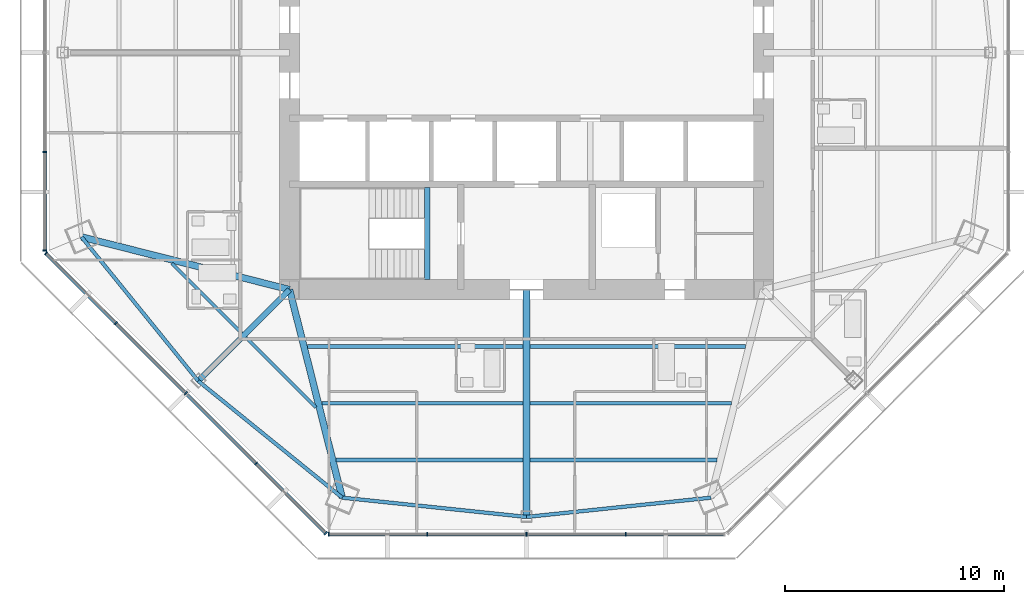
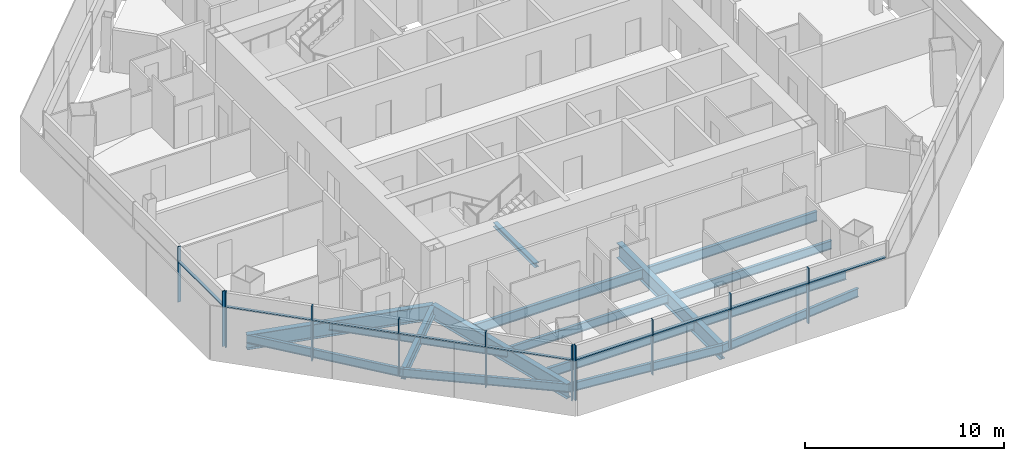
# One storey, part 2 of 15: 20 members, 17 beams, 3 elements without a shape of their own.
"""IFC4 building model written with IfcOpenShell, lengths in metres."""

from ifc_helpers import new_model, si_unit, direction, frame, origin, origin_2d, place, context, subcontext, project, spatial, rectangle, i_section, extrude, source, transform, mapped, material, material_profile, profile_set, type_object, type_shapes, element, aggregate, save


model = new_model("IFC4")

# Units and contexts
model_context = context("Model", 3, precision=1e-05, world=origin(), true_north=direction((0.0, 1.0)))
body_context = subcontext(model_context, "Body", "Model", "MODEL_VIEW")
ifc_project = project(units=[si_unit("LENGTHUNIT", "METRE"), si_unit("AREAUNIT", "SQUARE_METRE"), si_unit("VOLUMEUNIT", "CUBIC_METRE"), si_unit("PLANEANGLEUNIT", "RADIAN"), si_unit("MASSUNIT", "GRAM", prefix="KILO")], contexts=[model_context])

# Site, building, storey
site_placement = place(None, origin())
site = spatial("IfcSite", under=ifc_project, at=site_placement, CompositionType="ELEMENT")
building_placement = place(site_placement, origin())
building = spatial("IfcBuilding", under=site, at=building_placement, Name="Mashrafa Tower", CompositionType="ELEMENT")
storey_placement = place(building_placement, frame((0.0, 0.0, 214.199951171875)))
storey = spatial("IfcBuildingStorey", under=building, at=storey_placement, Name="L49", CompositionType="ELEMENT", Elevation=214.199951171875)

# Beams
ifc_material_1 = material(Name="Steel ASTM A992", Category="steel")
ifc_material_profile_1 = material_profile(ifc_material_1, i_section(OverallWidth=0.15234375, OverallDepth=0.449462890625, WebThickness=0.007568359375, FlangeThickness=0.0107421875, FilletRadius=0.01025390625, at=origin_2d()), Name="W18X35")
ifc_profile_set_1 = profile_set([ifc_material_profile_1], Name="Steel ASTM A992")
beam_type_1 = type_object("IfcBeamType", Name="Beam W18X35", PredefinedType="BEAM", material=ifc_profile_set_1)
for number, where, z_axis, x_axis, name in (
    (1, (-12.971435546875, -12.791748046875, -0.4248046875), (-0.707106781187, 0.707106781187, 0.0), (-0.707106781187, -0.707106781187, 0.0), "Floor beam L49 008"),
    (2, (-9.600830078125, -16.162353515625, -0.4248046875), (-0.707106781187, 0.707106781187, 0.0), (-0.707106781187, -0.707106781187, 0.0), "Floor beam L49 012"),
):
    element("IfcBeam", number, at=place(storey_placement, frame(where, z_axis=z_axis, x_axis=x_axis)), inside=storey, type_object=beam_type_1, Name=name, PredefinedType="BEAM", context=body_context, shape_type="SweptSolid", body=[
        extrude(i_section(OverallWidth=0.15234375, OverallDepth=0.449462890625, WebThickness=0.007568359375, FlangeThickness=0.0107421875, FilletRadius=0.01025390625, at=origin_2d()), origin(), (0.0, 0.0, 1.0), 4.5126953125),
    ])
ifc_material_2 = material(Name="Steel ASTM A992", Category="steel")
ifc_material_profile_2 = material_profile(ifc_material_2, i_section(OverallWidth=0.1650390625, OverallDepth=0.52587890625, WebThickness=0.0087890625, FlangeThickness=0.011474609375, FilletRadius=0.0126953125, at=origin_2d()), Name="W21X44")
ifc_profile_set_2 = profile_set([ifc_material_profile_2], Name="Steel ASTM A992")
beam_type_2 = type_object("IfcBeamType", Name="Beam W21X44", PredefinedType="BEAM", material=ifc_profile_set_2)
for number, where, z_axis, x_axis, name in (
    (3, (-0.15380859375, -15.98046875, -0.462890625), (-1.0, 0.0, 0.0), (0.0, -1.0, 0.0), "Floor beam L49 015"),
    (4, (9.33251953125, -15.98046875, -0.462890625), (-1.0, 0.0, 0.0), (0.0, -1.0, 0.0), "Floor beam L49 022"),
):
    element("IfcBeam", number, at=place(storey_placement, frame(where, z_axis=z_axis, x_axis=x_axis)), inside=storey, type_object=beam_type_2, Name=name, PredefinedType="BEAM", context=body_context, shape_type="SweptSolid", body=[
        extrude(i_section(OverallWidth=0.1650390625, OverallDepth=0.52587890625, WebThickness=0.0087890625, FlangeThickness=0.011474609375, FilletRadius=0.0126953125, at=origin_2d()), origin(), (0.0, 0.0, 1.0), 9.1787109375),
    ])
for number, where, z_axis, x_axis, name in (
    (5, (-20.28271484375, -8.4013671875, -0.462890625), (0.629746814929, -0.776800456415, 0.0), (0.776800456415, 0.629746814929, 0.0), "Spandrel beam L49 050"),
    (6, (-14.963134765625, -14.963134765625, -0.462890625), (0.776800456415, -0.629746814929, 0.0), (0.629746814929, 0.776800456415, 0.0), "Spandrel beam L49 052"),
):
    element("IfcBeam", number, at=place(storey_placement, frame(where, z_axis=z_axis, x_axis=x_axis)), inside=storey, type_object=beam_type_2, Name=name, PredefinedType="BEAM", context=body_context, shape_type="SweptSolid", body=[
        extrude(i_section(OverallWidth=0.1650390625, OverallDepth=0.52587890625, WebThickness=0.0087890625, FlangeThickness=0.011474609375, FilletRadius=0.0126953125, at=origin_2d()), origin(), (0.0, 0.0, 1.0), 8.447265625),
    ])
for number, where, z_axis, x_axis, name in (
    (7, (-8.4013671875, -20.28271484375, -0.462890625), (0.994581364657, -0.103961094056, 0.0), (0.103961094056, 0.994581364657, 0.0), "Spandrel beam L49 054"),
    (8, (0.0, -21.160888671875, -0.462890625), (0.994581364657, 0.103961094056, 0.0), (-0.103961094056, 0.994581364657, 0.0), "Spandrel beam L49 056"),
):
    element("IfcBeam", number, at=place(storey_placement, frame(where, z_axis=z_axis, x_axis=x_axis)), inside=storey, type_object=beam_type_2, Name=name, PredefinedType="BEAM", context=body_context, shape_type="SweptSolid", body=[
        extrude(i_section(OverallWidth=0.1650390625, OverallDepth=0.52587890625, WebThickness=0.0087890625, FlangeThickness=0.011474609375, FilletRadius=0.0126953125, at=origin_2d()), origin(), (0.0, 0.0, 1.0), 8.447021484375),
    ])
ifc_material_3 = material(Name="Steel ASTM A992", Category="steel")
ifc_material_profile_3 = material_profile(ifc_material_3, i_section(OverallWidth=0.177978515625, OverallDepth=0.599365234375, WebThickness=0.010009765625, FlangeThickness=0.012939453125, FilletRadius=0.012939453125, at=origin_2d()), Name="W24X55")
ifc_profile_set_3 = profile_set([ifc_material_profile_3], Name="Steel ASTM A992")
beam_type_3 = type_object("IfcBeamType", Name="Beam W24X55", PredefinedType="BEAM", material=ifc_profile_set_3)
beam_1_placement = place(storey_placement, frame((-0.15380859375, -18.57080078125, -0.499755859375), z_axis=(-1.0, 0.0, 0.0), x_axis=(0.0, -1.0, 0.0)))
element("IfcBeam", 9, at=beam_1_placement, inside=storey, type_object=beam_type_3, Name="Floor beam L49 014", PredefinedType="BEAM", context=body_context, shape_type="SweptSolid", body=[
    extrude(i_section(OverallWidth=0.177978515625, OverallDepth=0.599365234375, WebThickness=0.010009765625, FlangeThickness=0.012939453125, FilletRadius=0.012939453125, at=origin_2d()), origin(), (0.0, 0.0, 1.0), 8.5234375),
])
beam_2_placement = place(storey_placement, frame((-0.15380859375, -13.390380859375, -0.499755859375), z_axis=(-1.0, 0.0, 0.0), x_axis=(0.0, -1.0, 0.0)))
element("IfcBeam", 10, at=beam_2_placement, inside=storey, type_object=beam_type_3, Name="Floor beam L49 016", PredefinedType="BEAM", context=body_context, shape_type="SweptSolid", body=[
    extrude(i_section(OverallWidth=0.177978515625, OverallDepth=0.599365234375, WebThickness=0.010009765625, FlangeThickness=0.012939453125, FilletRadius=0.012939453125, at=origin_2d()), origin(), (0.0, 0.0, 1.0), 9.833740234375),
])
beam_3_placement = place(storey_placement, frame((8.67724609375, -18.57080078125, -0.499755859375), z_axis=(-1.0, 0.0, 0.0), x_axis=(0.0, -1.0, 0.0)))
element("IfcBeam", 11, at=beam_3_placement, inside=storey, type_object=beam_type_3, Name="Floor beam L49 020", PredefinedType="BEAM", context=body_context, shape_type="SweptSolid", body=[
    extrude(i_section(OverallWidth=0.177978515625, OverallDepth=0.599365234375, WebThickness=0.010009765625, FlangeThickness=0.012939453125, FilletRadius=0.012939453125, at=origin_2d()), origin(), (0.0, 0.0, 1.0), 8.5234375),
])
beam_4_placement = place(storey_placement, frame((9.987548828125, -13.390380859375, -0.499755859375), z_axis=(-1.0, 0.0, 0.0), x_axis=(0.0, -1.0, 0.0)))
element("IfcBeam", 12, at=beam_4_placement, inside=storey, type_object=beam_type_3, Name="Floor beam L49 023", PredefinedType="BEAM", context=body_context, shape_type="SweptSolid", body=[
    extrude(i_section(OverallWidth=0.177978515625, OverallDepth=0.599365234375, WebThickness=0.010009765625, FlangeThickness=0.012939453125, FilletRadius=0.012939453125, at=origin_2d()), origin(), (0.0, 0.0, 1.0), 9.833740234375),
])
ifc_material_4 = material(Name="Steel ASTM A992", Category="steel")
ifc_material_profile_4 = material_profile(ifc_material_4, i_section(OverallWidth=0.25390625, OverallDepth=0.67822265625, WebThickness=0.01171875, FlangeThickness=0.016357421875, FilletRadius=0.01513671875, at=origin_2d()), Name="W27X84")
ifc_profile_set_4 = profile_set([ifc_material_profile_4], Name="Steel ASTM A992")
beam_type_4 = type_object("IfcBeamType", Name="Beam W27X84", PredefinedType="BEAM", material=ifc_profile_set_4)
beam_5_placement = place(storey_placement, frame((-10.800048828125, -10.800048828125, -0.5390625), z_axis=(-0.707106781187, -0.707106781187, 0.0), x_axis=(0.707106781187, -0.707106781187, 0.0)))
element("IfcBeam", 13, at=beam_5_placement, inside=storey, type_object=beam_type_4, Name="Radial girder L49 034", PredefinedType="BEAM", context=body_context, shape_type="SweptSolid", body=[
    extrude(i_section(OverallWidth=0.25390625, OverallDepth=0.67822265625, WebThickness=0.01171875, FlangeThickness=0.016357421875, FilletRadius=0.01513671875, at=origin_2d()), origin(), (0.0, 0.0, 1.0), 5.887451171875),
])
ifc_material_5 = material(Name="Steel ASTM A992", Category="steel")
ifc_material_profile_5 = material_profile(ifc_material_5, i_section(OverallWidth=0.3046875, OverallDepth=0.911865234375, WebThickness=0.015869140625, FlangeThickness=0.02392578125, FilletRadius=0.01904296875, at=origin_2d()), Name="W36X150")
ifc_profile_set_5 = profile_set([ifc_material_profile_5], Name="Steel ASTM A992")
beam_type_5 = type_object("IfcBeamType", Name="Beam W36X150", PredefinedType="BEAM", material=ifc_profile_set_5)
for number, where, z_axis, x_axis, name in (
    (14, (-10.800048828125, -10.800048828125, -0.65576171875), (-0.969464839554, 0.245230350625, 0.0), (-0.245230350625, -0.969464839554, 0.0), "Radial girder L49 033"),
    (15, (-10.800048828125, -10.800048828125, -0.65576171875), (0.245230350625, -0.969464839554, 0.0), (0.969464839554, 0.245230350625, 0.0), "Radial girder L49 035"),
):
    element("IfcBeam", number, at=place(storey_placement, frame(where, z_axis=z_axis, x_axis=x_axis)), inside=storey, type_object=beam_type_5, Name=name, PredefinedType="BEAM", context=body_context, shape_type="SweptSolid", body=[
        extrude(i_section(OverallWidth=0.3046875, OverallDepth=0.911865234375, WebThickness=0.015869140625, FlangeThickness=0.02392578125, FilletRadius=0.01904296875, at=origin_2d()), origin(), (0.0, 0.0, 1.0), 9.78125),
    ])
ifc_material_6 = material(Name="Steel ASTM A992", Category="steel")
ifc_material_profile_6 = material_profile(ifc_material_6, i_section(OverallWidth=0.307373046875, OverallDepth=0.927001953125, WebThickness=0.01953125, FlangeThickness=0.031982421875, FilletRadius=0.01904296875, at=origin_2d()), Name="W36X194")
ifc_profile_set_6 = profile_set([ifc_material_profile_6], Name="Steel ASTM A992")
beam_type_6 = type_object("IfcBeamType", Name="Beam W36X194", PredefinedType="BEAM", material=ifc_profile_set_6)
beam_6_placement = place(storey_placement, frame((0.0, -10.800048828125, -0.66357421875), z_axis=(0.0, -1.0, 0.0), x_axis=(1.0, 0.0, 0.0)))
element("IfcBeam", 16, at=beam_6_placement, inside=storey, type_object=beam_type_6, Name="Radial girder L49 040", PredefinedType="BEAM", context=body_context, shape_type="SweptSolid", body=[
    extrude(i_section(OverallWidth=0.307373046875, OverallDepth=0.927001953125, WebThickness=0.01953125, FlangeThickness=0.031982421875, FilletRadius=0.01904296875, at=origin_2d()), origin(), (0.0, 0.0, 1.0), 10.36083984375),
])
ifc_material_7 = material(Name="Steel ASTM A992", Category="steel")
ifc_material_profile_7 = material_profile(ifc_material_7, i_section(OverallWidth=0.25390625, OverallDepth=0.25390625, WebThickness=0.008544921875, FlangeThickness=0.01416015625, FilletRadius=0.010009765625, at=origin_2d()), Name="W10X49")
ifc_profile_set_7 = profile_set([ifc_material_profile_7], Name="Steel ASTM A992")
beam_type_7 = type_object("IfcBeamType", Name="Hoistway beam W10X49", PredefinedType="BEAM", material=ifc_profile_set_7)
beam_7_placement = place(storey_placement, frame((-4.530029296875, -10.35009765625, -0.326904296875), z_axis=(0.0, 1.0, 0.0), x_axis=(-1.0, 0.0, 0.0)))
element("IfcBeam", 17, at=beam_7_placement, inside=storey, type_object=beam_type_7, Name="Stair S3 landing beam L49", PredefinedType="BEAM", context=body_context, shape_type="SweptSolid", body=[
    extrude(i_section(OverallWidth=0.25390625, OverallDepth=0.25390625, WebThickness=0.008544921875, FlangeThickness=0.01416015625, FilletRadius=0.010009765625, at=origin_2d()), origin(), (0.0, 0.0, 1.0), 4.2001953125),
])

# Curtain wall, members
ifc_material_8 = material(Name="Unitised aluminium curtain wall", Category="aluminium")
curtain_wall_type = type_object("IfcCurtainWallType", Name="Apartment curtain wall, zone 3 CW-C 180 deep", PredefinedType="NOTDEFINED", material=ifc_material_8)
curtain_wall_1_placement = place(storey_placement, origin())
curtain_wall_1 = element("IfcCurtainWall", 18, at=curtain_wall_1_placement, inside=storey, type_object=curtain_wall_type, Name="Apartment curtain wall, zone 3 L49 west", PredefinedType="NOTDEFINED")
ifc_material_9 = material(Name="Extruded aluminium mullion", Category="aluminium")
ifc_material_profile_8 = material_profile(ifc_material_9, rectangle(XDim=0.179931640625, YDim=0.06005859375, at=origin_2d()), Name="Mullion 60x180")
ifc_profile_set_8 = profile_set([ifc_material_profile_8], Name="Extruded aluminium mullion")
member_type_1 = type_object("IfcMemberType", Name="Mullion CW-C 60 x 180", PredefinedType="MULLION", material=ifc_profile_set_8)
shared_shape_1 = source(origin(), body_context, "Body", "SweptSolid", [
    extrude(rectangle(XDim=0.179931640625, YDim=0.06005859375, at=origin_2d()), origin(), (0.0, 0.0, 1.0), 3.400146484375),
])
type_shapes(member_type_1, [shared_shape_1])
member_1_placement = place(storey_placement, frame((-21.955322265625, -4.5234375, 0.0), z_axis=(0.0, 0.0, 1.0), x_axis=(1.0, 0.0, 0.0)))
member_1 = element("IfcMember", 19, at=member_1_placement, type_object=member_type_1, Name="CW-C mullion 4", PredefinedType="MULLION", context=body_context, shape_type="MappedRepresentation", body=[
    mapped(shared_shape_1, transform((0.0, 0.0, 0.0))),
])
member_2_placement = place(storey_placement, frame((-21.955322265625, -9.016845703125, 0.0), z_axis=(0.0, 0.0, 1.0), x_axis=(1.0, 0.0, 0.0)))
member_2 = element("IfcMember", 20, at=member_2_placement, type_object=member_type_1, Name="CW-C mullion 5", PredefinedType="MULLION", context=body_context, shape_type="MappedRepresentation", body=[
    mapped(shared_shape_1, transform((0.0, 0.0, 0.0))),
])

curtain_wall_2_placement = place(storey_placement, origin())
curtain_wall_2 = element("IfcCurtainWall", 21, at=curtain_wall_2_placement, inside=storey, type_object=curtain_wall_type, Name="Apartment curtain wall, zone 3 L49 south-west", PredefinedType="NOTDEFINED")
member_3_placement = place(storey_placement, frame((-21.900634765625, -9.14892578125, 0.0), z_axis=(0.0, 0.0, 1.0), x_axis=(0.707106781187, 0.707106781187, 0.0)))
member_3 = element("IfcMember", 22, at=member_3_placement, type_object=member_type_1, Name="CW-C mullion 1", PredefinedType="MULLION", context=body_context, shape_type="MappedRepresentation", body=[
    mapped(shared_shape_1, transform((0.0, 0.0, 0.0))),
])
member_4_placement = place(storey_placement, frame((-18.723388671875, -12.326171875, 0.0), z_axis=(0.0, 0.0, 1.0), x_axis=(0.707106781187, 0.707106781187, 0.0)))
member_4 = element("IfcMember", 23, at=member_4_placement, type_object=member_type_1, Name="CW-C mullion 2", PredefinedType="MULLION", context=body_context, shape_type="MappedRepresentation", body=[
    mapped(shared_shape_1, transform((0.0, 0.0, 0.0))),
])
member_5_placement = place(storey_placement, frame((-15.524658203125, -15.524658203125, 0.0), z_axis=(0.0, 0.0, 1.0), x_axis=(0.707106781187, 0.707106781187, 0.0)))
member_5 = element("IfcMember", 24, at=member_5_placement, type_object=member_type_1, Name="CW-C mullion 3", PredefinedType="MULLION", context=body_context, shape_type="MappedRepresentation", body=[
    mapped(shared_shape_1, transform((0.0, 0.0, 0.0))),
])
member_6_placement = place(storey_placement, frame((-12.326171875, -18.723388671875, 0.0), z_axis=(0.0, 0.0, 1.0), x_axis=(0.707106781187, 0.707106781187, 0.0)))
member_6 = element("IfcMember", 25, at=member_6_placement, type_object=member_type_1, Name="CW-C mullion 4", PredefinedType="MULLION", context=body_context, shape_type="MappedRepresentation", body=[
    mapped(shared_shape_1, transform((0.0, 0.0, 0.0))),
])
member_7_placement = place(storey_placement, frame((-9.14892578125, -21.900634765625, 0.0), z_axis=(0.0, 0.0, 1.0), x_axis=(0.707106781187, 0.707106781187, 0.0)))
member_7 = element("IfcMember", 26, at=member_7_placement, type_object=member_type_1, Name="CW-C mullion 5", PredefinedType="MULLION", context=body_context, shape_type="MappedRepresentation", body=[
    mapped(shared_shape_1, transform((0.0, 0.0, 0.0))),
])

curtain_wall_3_placement = place(storey_placement, origin())
curtain_wall_3 = element("IfcCurtainWall", 27, at=curtain_wall_3_placement, inside=storey, type_object=curtain_wall_type, Name="Apartment curtain wall, zone 3 L49 south", PredefinedType="NOTDEFINED")
member_8_placement = place(storey_placement, frame((-9.016845703125, -21.955322265625, 0.0), z_axis=(0.0, 0.0, 1.0), x_axis=(0.0, 1.0, 0.0)))
member_8 = element("IfcMember", 28, at=member_8_placement, type_object=member_type_1, Name="CW-C mullion 1", PredefinedType="MULLION", context=body_context, shape_type="MappedRepresentation", body=[
    mapped(shared_shape_1, transform((0.0, 0.0, 0.0))),
])
member_9_placement = place(storey_placement, frame((-4.5234375, -21.955322265625, 0.0), z_axis=(0.0, 0.0, 1.0), x_axis=(0.0, 1.0, 0.0)))
member_9 = element("IfcMember", 29, at=member_9_placement, type_object=member_type_1, Name="CW-C mullion 2", PredefinedType="MULLION", context=body_context, shape_type="MappedRepresentation", body=[
    mapped(shared_shape_1, transform((0.0, 0.0, 0.0))),
])
member_10_placement = place(storey_placement, frame((0.0, -21.955322265625, 0.0), z_axis=(0.0, 0.0, 1.0), x_axis=(0.0, 1.0, 0.0)))
member_10 = element("IfcMember", 30, at=member_10_placement, type_object=member_type_1, Name="CW-C mullion 3", PredefinedType="MULLION", context=body_context, shape_type="MappedRepresentation", body=[
    mapped(shared_shape_1, transform((0.0, 0.0, 0.0))),
])
member_11_placement = place(storey_placement, frame((4.5234375, -21.955322265625, 0.0), z_axis=(0.0, 0.0, 1.0), x_axis=(0.0, 1.0, 0.0)))
member_11 = element("IfcMember", 31, at=member_11_placement, type_object=member_type_1, Name="CW-C mullion 4", PredefinedType="MULLION", context=body_context, shape_type="MappedRepresentation", body=[
    mapped(shared_shape_1, transform((0.0, 0.0, 0.0))),
])

# Member
ifc_material_10 = material(Name="Extruded aluminium transom", Category="aluminium")
ifc_material_profile_9 = material_profile(ifc_material_10, rectangle(XDim=0.14404296875, YDim=0.074951171875, at=origin_2d()), Name="Transom 75x144")
ifc_profile_set_9 = profile_set([ifc_material_profile_9], Name="Extruded aluminium transom")
member_type_2 = type_object("IfcMemberType", Name="Transom CW-C 75 x 144", PredefinedType="MULLION", material=ifc_profile_set_9)
shared_shape_2 = source(origin(), body_context, "Body", "SweptSolid", [
    extrude(rectangle(XDim=0.14404296875, YDim=0.074951171875, at=origin_2d()), origin(), (0.0, 0.0, 1.0), 4.433349609375),
])
member_12_placement = place(storey_placement, frame((-21.955322265625, -4.553466796875, 2.5), z_axis=(0.0, -1.0, 0.0), x_axis=(1.0, 0.0, 0.0)))
member_12 = element("IfcMember", 32, at=member_12_placement, type_object=member_type_2, Name="CW-C transom 4", PredefinedType="MULLION", context=body_context, shape_type="MappedRepresentation", body=[
    mapped(shared_shape_2, transform((0.0, 0.0, 0.0))),
])

aggregate(curtain_wall_1, [member_1, member_2, member_12])

member_13_placement = place(storey_placement, frame((-21.87939453125, -9.169921875, 2.5), z_axis=(0.707079246412, -0.707134314889, 0.0), x_axis=(0.707134314889, 0.707079246412, 0.0)))
member_13 = element("IfcMember", 33, at=member_13_placement, type_object=member_type_2, Name="CW-C transom 1", PredefinedType="MULLION", context=body_context, shape_type="MappedRepresentation", body=[
    mapped(shared_shape_2, transform((0.0, 0.0, 0.0))),
])

member_14_placement = place(storey_placement, frame((-12.304931640625, -18.74462890625, 2.5), z_axis=(0.707134314889, -0.707079246412, 0.0), x_axis=(0.707079246412, 0.707134314889, 0.0)))
member_14 = element("IfcMember", 34, at=member_14_placement, type_object=member_type_2, Name="CW-C transom 4", PredefinedType="MULLION", context=body_context, shape_type="MappedRepresentation", body=[
    mapped(shared_shape_2, transform((0.0, 0.0, 0.0))),
])

member_15_placement = place(storey_placement, frame((-8.98681640625, -21.955322265625, 2.5), z_axis=(1.0, 0.0, 0.0), x_axis=(0.0, 1.0, 0.0)))
member_15 = element("IfcMember", 35, at=member_15_placement, type_object=member_type_2, Name="CW-C transom 1", PredefinedType="MULLION", context=body_context, shape_type="MappedRepresentation", body=[
    mapped(shared_shape_2, transform((0.0, 0.0, 0.0))),
])

member_16_placement = place(storey_placement, frame((4.553466796875, -21.955322265625, 2.5), z_axis=(1.0, 0.0, 0.0), x_axis=(0.0, 1.0, 0.0)))
member_16 = element("IfcMember", 36, at=member_16_placement, type_object=member_type_2, Name="CW-C transom 4", PredefinedType="MULLION", context=body_context, shape_type="MappedRepresentation", body=[
    mapped(shared_shape_2, transform((0.0, 0.0, 0.0))),
])

shared_shape_3 = source(origin(), body_context, "Body", "SweptSolid", [
    extrude(rectangle(XDim=0.14404296875, YDim=0.074951171875, at=origin_2d()), origin(), (0.0, 0.0, 1.0), 4.46337890625),
])
type_shapes(member_type_2, [shared_shape_2, shared_shape_3])
member_17_placement = place(storey_placement, frame((-18.7021484375, -12.347412109375, 2.5), z_axis=(0.707134129595, -0.70707943172, 0.0), x_axis=(0.70707943172, 0.707134129595, 0.0)))
member_17 = element("IfcMember", 37, at=member_17_placement, type_object=member_type_2, Name="CW-C transom 2", PredefinedType="MULLION", context=body_context, shape_type="MappedRepresentation", body=[
    mapped(shared_shape_3, transform((0.0, 0.0, 0.0))),
])

member_18_placement = place(storey_placement, frame((-15.50341796875, -15.5458984375, 2.5), z_axis=(0.70707943172, -0.707134129595, 0.0), x_axis=(0.707134129595, 0.70707943172, 0.0)))
member_18 = element("IfcMember", 38, at=member_18_placement, type_object=member_type_2, Name="CW-C transom 3", PredefinedType="MULLION", context=body_context, shape_type="MappedRepresentation", body=[
    mapped(shared_shape_3, transform((0.0, 0.0, 0.0))),
])

aggregate(curtain_wall_2, [member_3, member_4, member_5, member_6, member_7, member_13, member_17, member_18, member_14])

member_19_placement = place(storey_placement, frame((-4.493408203125, -21.955322265625, 2.5), z_axis=(1.0, 0.0, 0.0), x_axis=(0.0, 1.0, 0.0)))
member_19 = element("IfcMember", 39, at=member_19_placement, type_object=member_type_2, Name="CW-C transom 2", PredefinedType="MULLION", context=body_context, shape_type="MappedRepresentation", body=[
    mapped(shared_shape_3, transform((0.0, 0.0, 0.0))),
])

member_20_placement = place(storey_placement, frame((0.030029296875, -21.955322265625, 2.5), z_axis=(1.0, 0.0, 0.0), x_axis=(0.0, 1.0, 0.0)))
member_20 = element("IfcMember", 40, at=member_20_placement, type_object=member_type_2, Name="CW-C transom 3", PredefinedType="MULLION", context=body_context, shape_type="MappedRepresentation", body=[
    mapped(shared_shape_3, transform((0.0, 0.0, 0.0))),
])

aggregate(curtain_wall_3, [member_8, member_9, member_10, member_11, member_15, member_19, member_20, member_16])

save(model, "model.ifc")
